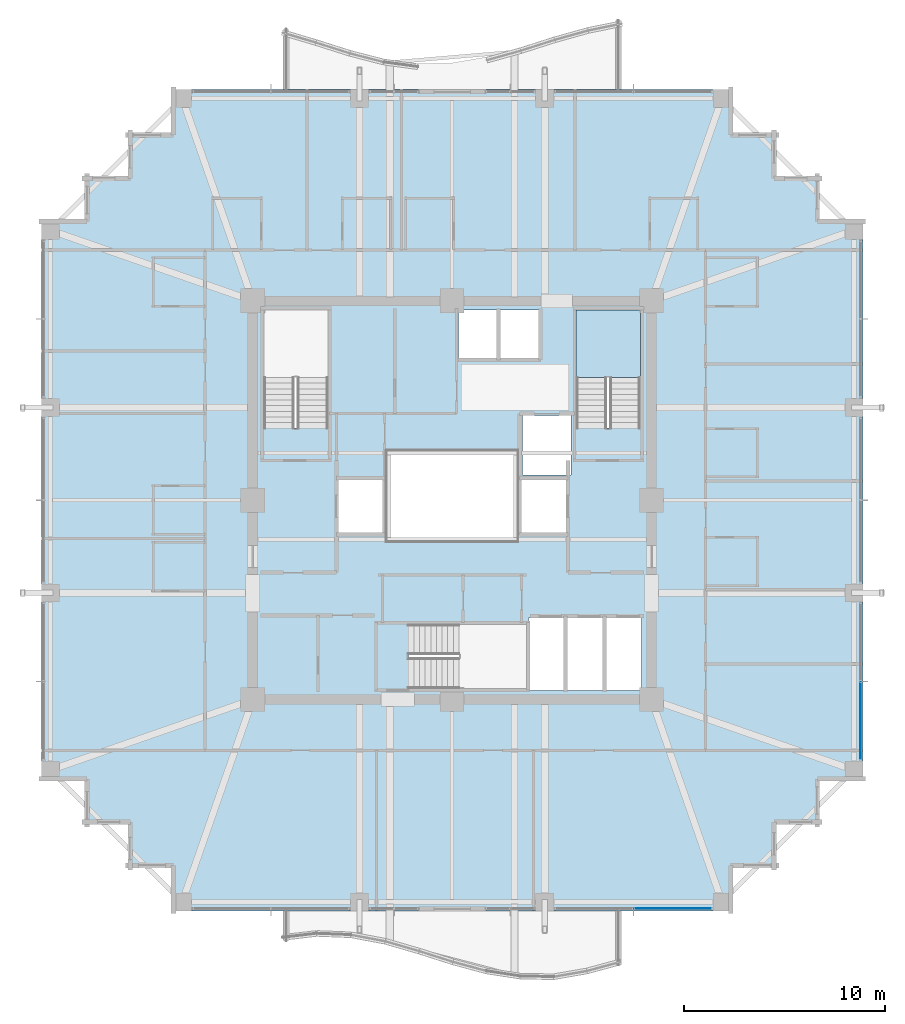
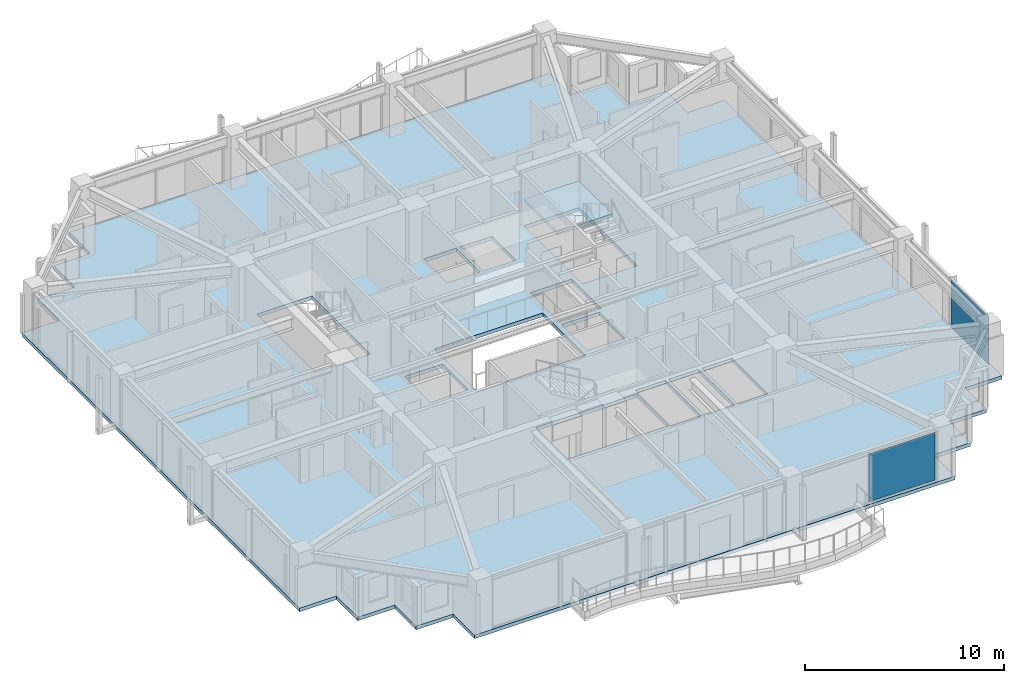
# One storey, part 27 of 37: 2 plates, 2 slabs, 3 elements without a shape of their own.
"""IFC4 building model written with IfcOpenShell, lengths in metres."""

from ifc_helpers import new_model, si_unit, direction, frame, origin, origin_2d, place, context, subcontext, project, spatial, polyline, rectangle, outline, extrude, material, layer, layer_set, type_object, element, aggregate, save


model = new_model("IFC4")

# Units and contexts
model_context = context("Model", 3, precision=1e-05, world=origin(), true_north=direction((0.0, 1.0)))
body_context = subcontext(model_context, "Body", "Model", "MODEL_VIEW")
ifc_project = project(units=[si_unit("LENGTHUNIT", "METRE"), si_unit("AREAUNIT", "SQUARE_METRE"), si_unit("VOLUMEUNIT", "CUBIC_METRE"), si_unit("PLANEANGLEUNIT", "RADIAN"), si_unit("MASSUNIT", "GRAM", prefix="KILO")], contexts=[model_context])

# Site, building, storey
site_placement = place(None, origin())
site = spatial("IfcSite", under=ifc_project, at=site_placement, CompositionType="ELEMENT")
building_placement = place(site_placement, origin())
building = spatial("IfcBuilding", under=site, at=building_placement, Name="Kolvaren Belvedere", CompositionType="ELEMENT")
storey_placement = place(building_placement, frame((0.0, 0.0, 180.0)))
storey = spatial("IfcBuildingStorey", under=building, at=storey_placement, Name="L52", CompositionType="ELEMENT", Elevation=180.0)

# Curtain wall, plate
ifc_material_1 = material(Name="Anodised pale-metal aluminium AA 6063-T6", Category="aluminium")
curtain_wall_type = type_object("IfcCurtainWallType", Name="CW-Z5-HIGH", PredefinedType="NOTDEFINED", material=ifc_material_1)
curtain_wall_1_placement = place(storey_placement, origin())
curtain_wall_1 = element("IfcCurtainWall", 1, at=curtain_wall_1_placement, inside=storey, type_object=curtain_wall_type, Name="L52 Unitised Curtain Wall FCW-L52-S1-B1", PredefinedType="NOTDEFINED")
ifc_material_2 = material(Name="Low-iron triple insulated glass", Category="glass")
ifc_layer_1 = layer(ifc_material_2, 0.028076171875)
ifc_layer_set_1 = layer_set([ifc_layer_1], Name="Low-iron triple insulated glass")
plate_type = type_object("IfcPlateType", Name="CW-PNL-VIS28", PredefinedType="CURTAIN_PANEL", material=ifc_layer_set_1)
plate_1_placement = place(storey_placement, frame((10.947509765625, -20.280029296875, 0.080078125), z_axis=(0.0, 0.0, 1.0), x_axis=(-1.0, 0.0, 0.0)))
plate_1 = element("IfcPlate", 2, at=plate_1_placement, type_object=plate_type, Name="FCW-L52-S1-B1 Vision Glazing Panel 1", PredefinedType="CURTAIN_PANEL", context=body_context, shape_type="SweptSolid", body=[
    extrude(rectangle(XDim=3.81494140625, YDim=0.028076171875, at=origin_2d()), origin(), (0.0, 0.0, 1.0), 2.919921875),
])
aggregate(curtain_wall_1, [plate_1])

curtain_wall_2_placement = place(storey_placement, origin())
curtain_wall_2 = element("IfcCurtainWall", 3, at=curtain_wall_2_placement, inside=storey, type_object=curtain_wall_type, Name="L52 Unitised Curtain Wall FCW-L52-E-B3", PredefinedType="NOTDEFINED")
plate_2_placement = place(storey_placement, frame((20.280029296875, -10.947509765625, 0.080078125), z_axis=(0.0, 0.0, 1.0), x_axis=(0.0, -1.0, 0.0)))
plate_2 = element("IfcPlate", 4, at=plate_2_placement, type_object=plate_type, Name="FCW-L52-E-B3 Vision Glazing Panel 2", PredefinedType="CURTAIN_PANEL", context=body_context, shape_type="SweptSolid", body=[
    extrude(rectangle(XDim=3.81494140625, YDim=0.028076171875, at=origin_2d()), origin(), (0.0, 0.0, 1.0), 2.919921875),
])
aggregate(curtain_wall_2, [plate_2])

# Slab
ifc_material_3 = material(Name="Concrete C50/60", Category="concrete")
ifc_layer_2 = layer(ifc_material_3, 0.219970703125)
ifc_layer_set_2 = layer_set([ifc_layer_2], Name="Concrete C50/60")
slab_type_1 = type_object("IfcSlabType", Name="SL-FLR-220", PredefinedType="FLOOR", material=ifc_layer_set_2)
slab_1_placement = place(storey_placement, frame((0.0, 0.0, -0.219970703125)))
element("IfcSlab", 5, at=slab_1_placement, inside=storey, type_object=slab_type_1, Name="L52 Primary Structural Slab", PredefinedType="FLOOR", context=body_context, shape_type="SweptSolid", body=[
    extrude(outline(polyline([(-13.949951171875, -20.39990234375), (13.949951171875, -20.39990234375), (13.949951171875, -18.25), (16.10009765625, -18.25), (16.10009765625, -16.10009765625), (18.25, -16.10009765625), (18.25, -13.949951171875), (20.39990234375, -13.949951171875), (20.39990234375, 13.949951171875), (18.25, 13.949951171875), (18.25, 16.10009765625), (16.10009765625, 16.10009765625), (16.10009765625, 18.25), (13.949951171875, 18.25), (13.949951171875, 20.39990234375), (-13.949951171875, 20.39990234375), (-13.949951171875, 18.25), (-16.10009765625, 18.25), (-16.10009765625, 16.10009765625), (-18.25, 16.10009765625), (-18.25, 13.949951171875), (-20.39990234375, 13.949951171875), (-20.39990234375, -13.949951171875), (-18.25, -13.949951171875), (-18.25, -16.10009765625), (-16.10009765625, -16.10009765625), (-16.10009765625, -18.25), (-13.949951171875, -18.25), (-13.949951171875, -20.39990234375)]), holes=[polyline([(-9.35009765625, 3.580078125), (-6.159912109375, 3.580078125), (-6.159912109375, 9.449951171875), (-9.35009765625, 9.449951171875), (-9.35009765625, 3.580078125)]), polyline([(6.159912109375, 3.580078125), (9.35009765625, 3.580078125), (9.35009765625, 9.449951171875), (6.159912109375, 9.449951171875), (6.159912109375, 3.580078125)]), polyline([(-2.169921875, -9.35009765625), (3.699951171875, -9.35009765625), (3.699951171875, -6.159912109375), (-2.169921875, -6.159912109375), (-2.169921875, -9.35009765625)]), polyline([(-5.64990234375, -1.60009765625), (-3.449951171875, -1.60009765625), (-3.449951171875, 1.0), (-5.64990234375, 1.0), (-5.64990234375, -1.60009765625)]), polyline([(3.5, 1.25), (5.89990234375, 1.25), (5.89990234375, 4.199951171875), (3.5, 4.199951171875), (3.5, 1.25)]), polyline([(3.449951171875, -1.60009765625), (5.64990234375, -1.60009765625), (5.64990234375, 1.0), (3.449951171875, 1.0), (3.449951171875, -1.60009765625)]), polyline([(3.7900390625, -9.449951171875), (5.5400390625, -9.449951171875), (5.5400390625, -5.85009765625), (3.7900390625, -5.85009765625), (3.7900390625, -9.449951171875)]), polyline([(5.719970703125, -9.449951171875), (7.469970703125, -9.449951171875), (7.469970703125, -5.85009765625), (5.719970703125, -5.85009765625), (5.719970703125, -9.449951171875)]), polyline([(7.64990234375, -9.449951171875), (9.39990234375, -9.449951171875), (9.39990234375, -5.85009765625), (7.64990234375, -5.85009765625), (7.64990234375, -9.449951171875)]), polyline([(0.320068359375, 7.050048828125), (2.219970703125, 7.050048828125), (2.219970703125, 9.449951171875), (0.320068359375, 9.449951171875), (0.320068359375, 7.050048828125)]), polyline([(2.39990234375, 7.050048828125), (4.300048828125, 7.050048828125), (4.300048828125, 9.449951171875), (2.39990234375, 9.449951171875), (2.39990234375, 7.050048828125)]), polyline([(-3.14990234375, -1.949951171875), (3.14990234375, -1.949951171875), (3.14990234375, 2.35009765625), (-3.14990234375, 2.35009765625), (-3.14990234375, -1.949951171875)])]), origin(), (0.0, 0.0, 1.0), 0.219970703125),
])

# Stair, slab
ifc_material_4 = material(Name="Concrete C50/60", Category="concrete")
stair_type = type_object("IfcStairType", Name="ST-CORE-1520", PredefinedType="HALF_TURN_STAIR", material=ifc_material_4)
stair_placement = place(storey_placement, origin())
stair = element("IfcStair", 6, at=stair_placement, inside=storey, type_object=stair_type, Name="L52 Protected Exit Stair ST-2", PredefinedType="HALF_TURN_STAIR")
ifc_material_5 = material(Name="Concrete C50/60", Category="concrete")
ifc_layer_3 = layer(ifc_material_5, 0.260009765625)
ifc_layer_set_3 = layer_set([ifc_layer_3], Name="Concrete C50/60")
slab_type_2 = type_object("IfcSlabType", Name="SL-LAND-260", PredefinedType="LANDING", material=ifc_layer_set_3)
slab_2_placement = place(storey_placement, frame((0.0, 0.0, 1.449951171875)))
slab_2 = element("IfcSlab", 7, at=slab_2_placement, type_object=slab_type_2, Name="ST-2 landing 1", PredefinedType="LANDING", context=body_context, shape_type="SweptSolid", body=[
    extrude(outline(polyline([(9.35009765625, 6.090087890625), (9.35009765625, 9.449951171875), (6.159912109375, 9.449951171875), (6.159912109375, 6.090087890625), (9.35009765625, 6.090087890625)])), origin(), (0.0, 0.0, 1.0), 0.199951171875),
])
aggregate(stair, [slab_2])

save(model, "model.ifc")
